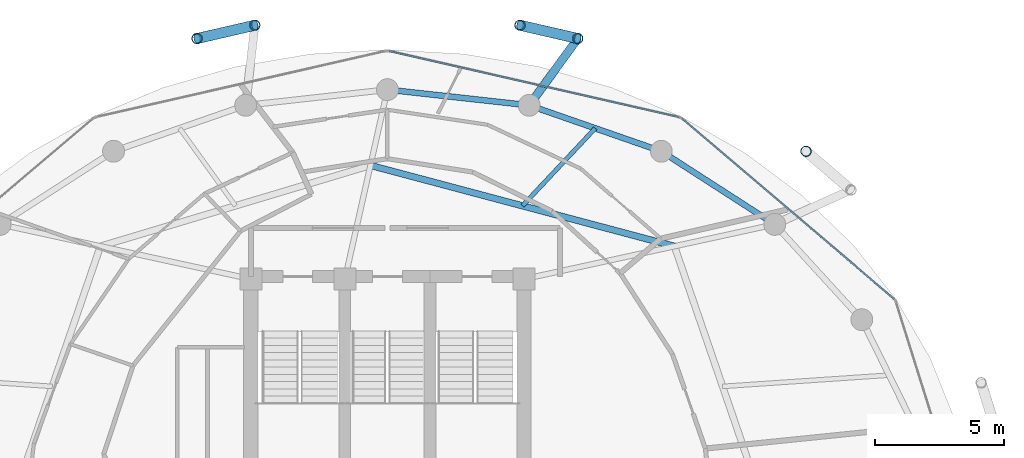
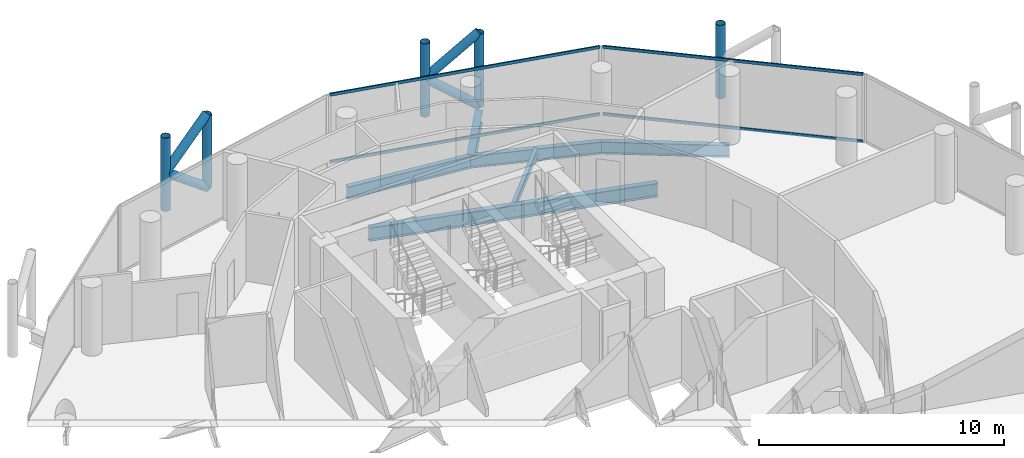
# One storey, part 20 of 27: 13 members, 6 beams, 2 elements without a shape of their own.
"""IFC4 building model written with IfcOpenShell, lengths in metres."""

from ifc_helpers import new_model, si_unit, direction, frame, origin, origin_2d, place, context, subcontext, project, spatial, hollow_rectangle, hollow_circle, i_section, extrude, material, layer, layer_set, material_profile, profile_set, type_object, element, aggregate, save


model = new_model("IFC4")

# Units and contexts
model_context = context("Model", 3, precision=1e-05, world=origin(), true_north=direction((0.0, 1.0)))
body_context = subcontext(model_context, "Body", "Model", "MODEL_VIEW")
ifc_project = project(units=[si_unit("LENGTHUNIT", "METRE"), si_unit("AREAUNIT", "SQUARE_METRE"), si_unit("VOLUMEUNIT", "CUBIC_METRE"), si_unit("PLANEANGLEUNIT", "RADIAN"), si_unit("MASSUNIT", "GRAM", prefix="KILO")], contexts=[model_context])

# Site, building, storey
site_placement = place(None, origin())
site = spatial("IfcSite", under=ifc_project, at=site_placement, CompositionType="ELEMENT")
building_placement = place(site_placement, origin())
building = spatial("IfcBuilding", under=site, at=building_placement, Name="Nuhasar Tower", CompositionType="ELEMENT")
storey_placement = place(building_placement, frame((0.0, 0.0, 208.14990234375)))
storey = spatial("IfcBuildingStorey", under=building, at=storey_placement, Name="L50", CompositionType="ELEMENT", Elevation=208.14990234375)

# Beams
ifc_material_1 = material(Name="Steel S355", Category="steel")
ifc_material_profile_1 = material_profile(ifc_material_1, i_section(OverallWidth=0.25390625, OverallDepth=0.68408203125, WebThickness=0.012451171875, FlangeThickness=0.018798828125, at=origin_2d()), Name="W27X94")
ifc_profile_set_1 = profile_set([ifc_material_profile_1], Name="Steel S355")
beam_type_1 = type_object("IfcBeamType", Name="BM-INRING-W27X94", PredefinedType="BEAM", material=ifc_profile_set_1)
beam_1_placement = place(storey_placement, frame((50.135986328125, 38.572998046875, -0.581787109375), z_axis=(-0.966410333243, 0.257004022929, 0.0), x_axis=(-0.257004022929, -0.966410333243, 0.0)))
element("IfcBeam", 1, at=beam_1_placement, inside=storey, type_object=beam_type_1, Name="L50 Inner Header Beam 05", PredefinedType="BEAM", context=body_context, shape_type="SweptSolid", body=[
    extrude(i_section(OverallWidth=0.25390625, OverallDepth=0.68408203125, WebThickness=0.012451171875, FlangeThickness=0.018798828125, at=origin_2d()), origin(), (0.0, 0.0, 1.0), 12.205810546875),
])
ifc_material_profile_2 = material_profile(ifc_material_1, i_section(OverallWidth=0.1708984375, OverallDepth=0.35205078125, WebThickness=0.0068359375, FlangeThickness=0.009765625, at=origin_2d()), Name="W14X30")
ifc_profile_set_2 = profile_set([ifc_material_profile_2], Name="Steel S355")
beam_type_2 = type_object("IfcBeamType", Name="BM-JST-W14X30", PredefinedType="JOIST", material=ifc_profile_set_2)
beam_2_placement = place(storey_placement, frame((44.238037109375, 40.14208984375, -0.416015625), z_axis=(0.684358245116, 0.729145933501, 0.0), x_axis=(-0.729145933501, 0.684358245116, 0.0)))
element("IfcBeam", 2, at=beam_2_placement, inside=storey, type_object=beam_type_2, Name="L50 Secondary Floor Joist 05", PredefinedType="JOIST", context=body_context, shape_type="SweptSolid", body=[
    extrude(i_section(OverallWidth=0.1708984375, OverallDepth=0.35205078125, WebThickness=0.0068359375, FlangeThickness=0.009765625, at=origin_2d()), origin(), (0.0, 0.0, 1.0), 4.12646484375),
])
ifc_material_profile_3 = material_profile(ifc_material_1, i_section(OverallWidth=0.22802734375, OverallDepth=0.60791015625, WebThickness=0.01123046875, FlangeThickness=0.017333984375, at=origin_2d()), Name="W24X76")
ifc_profile_set_3 = profile_set([ifc_material_profile_3], Name="Steel S355")
beam_type_3 = type_object("IfcBeamType", Name="BM-RING-W24X76", PredefinedType="SPANDREL", material=ifc_profile_set_3)
beam_3_placement = place(storey_placement, frame((54.02587890625, 39.422119140625, -0.5439453125), z_axis=(-0.840502144969, 0.541808217272, 0.0), x_axis=(-0.541808217272, -0.840502144969, 0.0)))
element("IfcBeam", 3, at=beam_3_placement, inside=storey, type_object=beam_type_3, Name="L50 Perimeter Ring Spandrel 04", PredefinedType="SPANDREL", context=body_context, shape_type="SweptSolid", body=[
    extrude(i_section(OverallWidth=0.22802734375, OverallDepth=0.60791015625, WebThickness=0.01123046875, FlangeThickness=0.017333984375, at=origin_2d()), origin(), (0.0, 0.0, 1.0), 5.236083984375),
])
beam_4_placement = place(storey_placement, frame((49.625, 42.259033203125, -0.5439453125), z_axis=(-0.944476764686, 0.328578211342, 0.0), x_axis=(-0.328578211342, -0.944476764686, 0.0)))
element("IfcBeam", 4, at=beam_4_placement, inside=storey, type_object=beam_type_3, Name="L50 Perimeter Ring Spandrel 05", PredefinedType="SPANDREL", context=body_context, shape_type="SweptSolid", body=[
    extrude(i_section(OverallWidth=0.22802734375, OverallDepth=0.60791015625, WebThickness=0.01123046875, FlangeThickness=0.017333984375, at=origin_2d()), origin(), (0.0, 0.0, 1.0), 5.42626953125),
])
beam_5_placement = place(storey_placement, frame((44.5, 44.0419921875, -0.5439453125), z_axis=(-0.993947060915, 0.109860093292, 0.0), x_axis=(-0.109860093292, -0.993947060915, 0.0)))
element("IfcBeam", 5, at=beam_5_placement, inside=storey, type_object=beam_type_3, Name="L50 Perimeter Ring Spandrel 06", PredefinedType="SPANDREL", context=body_context, shape_type="SweptSolid", body=[
    extrude(i_section(OverallWidth=0.22802734375, OverallDepth=0.60791015625, WebThickness=0.01123046875, FlangeThickness=0.017333984375, at=origin_2d()), origin(), (0.0, 0.0, 1.0), 5.533447265625),
])
ifc_material_profile_4 = material_profile(ifc_material_1, i_section(OverallWidth=0.323974609375, OverallDepth=0.611083984375, WebThickness=0.0126953125, FlangeThickness=0.01904296875, at=origin_2d()), Name="W24X104")
ifc_profile_set_4 = profile_set([ifc_material_profile_4], Name="Steel S355")
beam_type_4 = type_object("IfcBeamType", Name="BM-TIE-W24X104", PredefinedType="BEAM", material=ifc_profile_set_4)
beam_6_placement = place(storey_placement, frame((44.5, 44.0419921875, -0.544921875), z_axis=(0.588094663461, 0.808792103577, 0.0), x_axis=(-0.808792103577, 0.588094663461, 0.0)))
element("IfcBeam", 6, at=beam_6_placement, inside=storey, type_object=beam_type_4, Name="L50 Exoskeleton Node Tie Beam 03", PredefinedType="BEAM", context=body_context, shape_type="SweptSolid", body=[
    extrude(i_section(OverallWidth=0.323974609375, OverallDepth=0.611083984375, WebThickness=0.0126953125, FlangeThickness=0.01904296875, at=origin_2d()), origin(), (0.0, 0.0, 1.0), 3.20361328125),
])

# Curtain wall, members
ifc_material_2 = material(Name="Aluminium 6063-T6", Category="aluminium")
ifc_layer = layer(ifc_material_2, 0.18994140625)
ifc_layer_set = layer_set([ifc_layer], Name="Aluminium 6063-T6")
curtain_wall_type = type_object("IfcCurtainWallType", Name="CW-Z3-RES", PredefinedType="NOTDEFINED", material=ifc_layer_set)
curtain_wall_1_placement = place(storey_placement, origin())
curtain_wall_1 = element("IfcCurtainWall", 7, at=curtain_wall_1_placement, inside=storey, type_object=curtain_wall_type, Name="L50 Unitised Curtain Wall 02", PredefinedType="NOTDEFINED")
ifc_material_profile_5 = material_profile(ifc_material_2, hollow_rectangle(XDim=0.06494140625, YDim=0.139892578125, WallThickness=0.00439453125, at=origin_2d()), Name="CWT-4")
ifc_profile_set_5 = profile_set([ifc_material_profile_5], Name="Aluminium 6063-T6")
member_type_1 = type_object("IfcMemberType", Name="CW-TRN-S4", PredefinedType="USERDEFINED", material=ifc_profile_set_5)
member_1_placement = place(storey_placement, frame((58.661376953125, 36.522216796875, 0.03271484375), z_axis=(-0.761730809511, 0.647893643928, 0.0), x_axis=(-0.647893643928, -0.761730809511, 0.0)))
member_1 = element("IfcMember", 8, at=member_1_placement, type_object=member_type_1, Name="CW-Z3 transom 1.1", ObjectType="TRANSOM", PredefinedType="USERDEFINED", context=body_context, shape_type="SweptSolid", body=[
    extrude(hollow_rectangle(XDim=0.06494140625, YDim=0.139892578125, WallThickness=0.00439453125, at=origin_2d()), origin(), (0.0, 0.0, 1.0), 10.806884765625),
])
member_2_placement = place(storey_placement, frame((58.661376953125, 36.522216796875, 3.377685546875), z_axis=(-0.761730809511, 0.647893643928, 0.0), x_axis=(-0.647893643928, -0.761730809511, 0.0)))
member_2 = element("IfcMember", 9, at=member_2_placement, type_object=member_type_1, Name="CW-Z3 transom 1.2", ObjectType="TRANSOM", PredefinedType="USERDEFINED", context=body_context, shape_type="SweptSolid", body=[
    extrude(hollow_rectangle(XDim=0.06494140625, YDim=0.139892578125, WallThickness=0.00439453125, at=origin_2d()), origin(), (0.0, 0.0, 1.0), 10.806884765625),
])
aggregate(curtain_wall_1, [member_1, member_2])

curtain_wall_2_placement = place(storey_placement, origin())
curtain_wall_2 = element("IfcCurtainWall", 10, at=curtain_wall_2_placement, inside=storey, type_object=curtain_wall_type, Name="L50 Unitised Curtain Wall 03", PredefinedType="NOTDEFINED")
member_3_placement = place(storey_placement, frame((50.316650390625, 43.58056640625, 0.03271484375), z_axis=(-0.974994070913, 0.222230874732, 0.0), x_axis=(-0.222230874732, -0.974994070913, 0.0)))
member_3 = element("IfcMember", 11, at=member_3_placement, type_object=member_type_1, Name="CW-Z3 transom 1.1", ObjectType="TRANSOM", PredefinedType="USERDEFINED", context=body_context, shape_type="SweptSolid", body=[
    extrude(hollow_rectangle(XDim=0.06494140625, YDim=0.139892578125, WallThickness=0.00439453125, at=origin_2d()), origin(), (0.0, 0.0, 1.0), 11.541748046875),
])
member_4_placement = place(storey_placement, frame((50.316650390625, 43.58056640625, 3.377685546875), z_axis=(-0.974994070913, 0.222230874732, 0.0), x_axis=(-0.222230874732, -0.974994070913, 0.0)))
member_4 = element("IfcMember", 12, at=member_4_placement, type_object=member_type_1, Name="CW-Z3 transom 1.2", ObjectType="TRANSOM", PredefinedType="USERDEFINED", context=body_context, shape_type="SweptSolid", body=[
    extrude(hollow_rectangle(XDim=0.06494140625, YDim=0.139892578125, WallThickness=0.00439453125, at=origin_2d()), origin(), (0.0, 0.0, 1.0), 11.541748046875),
])
aggregate(curtain_wall_2, [member_3, member_4])

# Members
ifc_material_3 = material(Name="Steel S460", Category="steel")
ifc_material_profile_6 = material_profile(ifc_material_3, hollow_circle(Radius=0.203125, WallThickness=0.01904296875, at=origin_2d()), Name="HSS406.4X19.1")
ifc_profile_set_6 = profile_set([ifc_material_profile_6], Name="Steel S460")
member_type_2 = type_object("IfcMemberType", Name="EXO-BRONZE-406", PredefinedType="BRACE", material=ifc_profile_set_6)
for number, where, z_axis, x_axis, name in (
    (13, (55.239990234375, 42.257080078125, 0.0), (0.0, 0.0, 1.0), (1.0, 0.0, 0.0), "L50 Exoskeleton Chord Column EC-02B"),
    (14, (46.384033203125, 46.633056640625, 0.0), (0.0, 0.0, 1.0), (1.0, 0.0, 0.0), "L50 Exoskeleton Chord Column EC-03A"),
    (15, (44.14306640625, 47.14892578125, 0.0), (0.0, 0.0, 1.0), (1.0, 0.0, 0.0), "L50 Exoskeleton Chord Column EC-03B"),
    (16, (33.85693359375, 47.14892578125, 0.0), (0.0, 0.0, 1.0), (1.0, 0.0, 0.0), "L50 Exoskeleton Chord Column EC-04A"),
    (17, (31.615966796875, 46.633056640625, 0.0), (0.0, 0.0, 1.0), (1.0, 0.0, 0.0), "L50 Exoskeleton Chord Column EC-04B"),
):
    element("IfcMember", number, at=place(storey_placement, frame(where, z_axis=z_axis, x_axis=x_axis)), inside=storey, type_object=member_type_2, Name=name, PredefinedType="BRACE", context=body_context, shape_type="SweptSolid", body=[
        extrude(hollow_circle(Radius=0.203125, WallThickness=0.01904296875, at=origin_2d()), origin(), (0.0, 0.0, 1.0), 3.650146484375),
    ])
for number, where, z_axis, x_axis, name in (
    (18, (46.384033203125, 46.633056640625, 0.0), (-0.763303280332, 0.175711932819, 0.621685948771), (-0.224332214284, -0.974512728308, 0.0), "L50 Bronze Diagrid Brace W1-03"),
    (19, (44.14306640625, 47.14892578125, 1.8251953125), (0.763342741922, -0.175721016852, 0.621634927101), (0.224332214284, 0.974512728308, 0.0), "L50 Bronze Diagrid Brace W2-03"),
    (20, (33.85693359375, 47.14892578125, 0.0), (-0.763303280332, -0.175711932819, 0.621685948771), (0.224332214284, -0.974512728308, 0.0), "L50 Bronze Diagrid Brace W1-04"),
    (21, (31.615966796875, 46.633056640625, 1.8251953125), (0.763342741922, 0.175721016852, 0.621634927101), (-0.224332214284, 0.974512728308, 0.0), "L50 Bronze Diagrid Brace W2-04"),
):
    element("IfcMember", number, at=place(storey_placement, frame(where, z_axis=z_axis, x_axis=x_axis)), inside=storey, type_object=member_type_2, Name=name, PredefinedType="BRACE", context=body_context, shape_type="SweptSolid", body=[
        extrude(hollow_circle(Radius=0.203125, WallThickness=0.01904296875, at=origin_2d()), origin(), (0.0, 0.0, 1.0), 2.935791015625),
    ])

save(model, "model.ifc")
